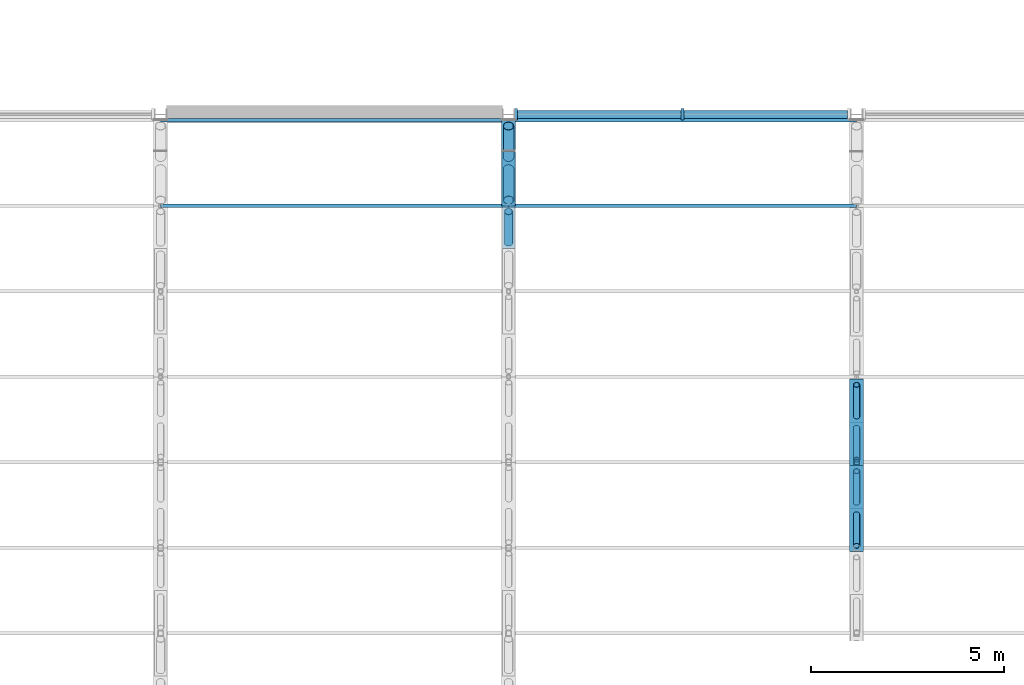
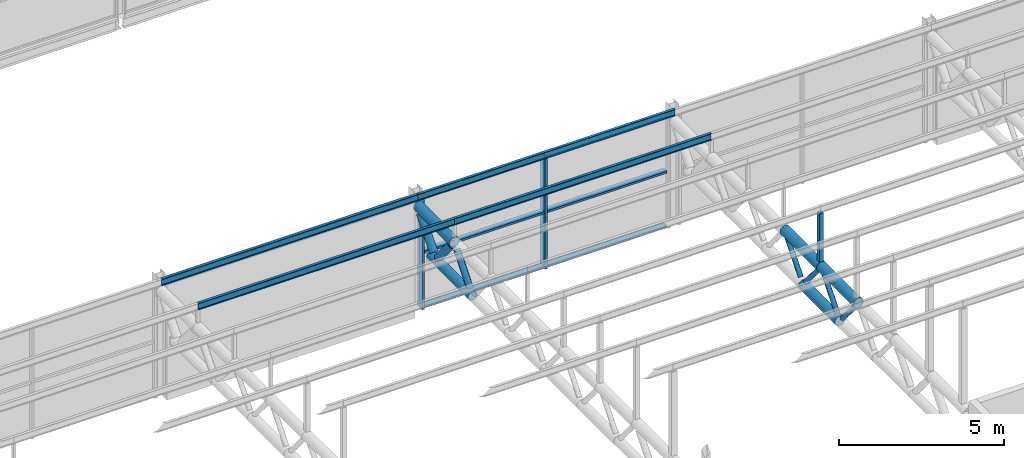
# One storey, part 47 of 138: 25 members, 1 element without a shape of its own.
"""IFC4 building model written with IfcOpenShell, lengths in metres."""

import ifcopenshell
import ifcopenshell.guid

model = None  # the IFC model being written
_history = None  # IfcOwnerHistory: only IFC2X3 demands one
_inside = {}  # id of a spatial element -> (the spatial element, [elements in it])
_under = {}  # id of a project, library or spatial element -> (it, [spatial elements below it])
_declared = {}  # id of a project -> (the project, [libraries it declares])
_typed = {}  # id of a type object -> (the type object, [elements of that type])
_made_of = {}  # id of a material, layer set ... -> (it, [elements and type objects made of it])


def new_model(schema):
    """Start an empty IFC model of exactly this schema.

    Asked for "IFC4X3", IfcOpenShell would pick the latest addendum, in which some entities
    have other attributes; the version numbers below select the first issue.
    IFC2X3 requires an IfcOwnerHistory on every rooted entity: one is made here for all.
    """
    global model, _history
    if schema == "IFC4X3":
        model = ifcopenshell.file(schema_version=(4, 3, 0, 0))
    else:
        model = ifcopenshell.file(schema=schema)
    _inside.clear()
    _under.clear()
    _declared.clear()
    _typed.clear()
    _made_of.clear()
    _history = None
    if model.schema == "IFC2X3":
        org = make("IfcOrganization", Name="unknown")
        user = make(
            "IfcPersonAndOrganization",
            ThePerson=make("IfcPerson", FamilyName="unknown"),
            TheOrganization=org,
        )
        app = make(
            "IfcApplication",
            ApplicationDeveloper=org,
            Version="unknown",
            ApplicationFullName="unknown",
            ApplicationIdentifier="unknown",
        )
        _history = make(
            "IfcOwnerHistory",
            OwningUser=user,
            OwningApplication=app,
            ChangeAction="ADDED",
            CreationDate=0,
        )
    return model


def make(cls, **values):
    """One entity of the class cls with the attributes given. An attribute that is None is left unset."""
    return model.create_entity(
        cls, **{name: value for name, value in values.items() if value is not None}
    )


def rooted(cls, **values):
    """An entity with a GlobalId (a new one), such as an element, a storey or a relation."""
    return make(cls, GlobalId=ifcopenshell.guid.new(), OwnerHistory=_history, **values)


def si_unit(unit_type, name, prefix=None):
    """IfcSIUnit, for example si_unit("LENGTHUNIT", "METRE", prefix="MILLI")."""
    return make("IfcSIUnit", UnitType=unit_type, Prefix=prefix, Name=name)


def assignment(units):
    """IfcUnitAssignment: the units of a project."""
    return None if units is None else make("IfcUnitAssignment", Units=units)


def point(xyz):
    """IfcCartesianPoint."""
    return None if xyz is None else make("IfcCartesianPoint", Coordinates=xyz)


def direction(xyz):
    """IfcDirection."""
    return None if xyz is None else make("IfcDirection", DirectionRatios=xyz)


def frame(location, z_axis=None, x_axis=None):
    """IfcAxis2Placement3D, a coordinate frame: its origin and axes. An axis left out is left unset."""
    return make(
        "IfcAxis2Placement3D",
        Location=point(location),
        Axis=direction(z_axis),
        RefDirection=direction(x_axis),
    )


def frame_2d(location, x_axis=None):
    """IfcAxis2Placement2D, a coordinate frame in the plane: its origin and x axis."""
    return make(
        "IfcAxis2Placement2D", Location=point(location), RefDirection=direction(x_axis)
    )


def origin():
    """The frame at (0, 0, 0) with its axes left unset."""
    return frame((0.0, 0.0, 0.0))


def origin_2d():
    """The frame at (0, 0) in the plane with its x axis left unset."""
    return frame_2d((0.0, 0.0))


def place(relative_to, where):
    """IfcLocalPlacement: puts the frame where relative to a parent placement (None: the world)."""
    return make(
        "IfcLocalPlacement", PlacementRelTo=relative_to, RelativePlacement=where
    )


def context(
    kind, dimensions, precision=None, world=None, true_north=None, identifier=None
):
    """IfcGeometricRepresentationContext, for example the 3D "Model" context."""
    return make(
        "IfcGeometricRepresentationContext",
        ContextIdentifier=identifier,
        ContextType=kind,
        CoordinateSpaceDimension=dimensions,
        Precision=precision,
        WorldCoordinateSystem=world,
        TrueNorth=true_north,
    )


def subcontext(parent, identifier, kind, view, scale=None):
    """IfcGeometricRepresentationSubContext, for example "Body" below "Model"."""
    return make(
        "IfcGeometricRepresentationSubContext",
        ContextIdentifier=identifier,
        ContextType=kind,
        ParentContext=parent,
        TargetScale=scale,
        TargetView=view,
    )


def project(units=None, contexts=None):
    """IfcProject with its units and contexts."""
    return rooted(
        "IfcProject",
        Name="project",
        RepresentationContexts=contexts,
        UnitsInContext=assignment(units),
    )


def spatial(cls, under=None, at=None, **own):
    """A site, building, storey or space (cls), placed at a placement, below another one or the project."""
    s = rooted(cls, ObjectPlacement=at, **own)
    if under is not None:
        _under.setdefault(under.id(), (under, []))[1].append(s)
    return s


def profile(cls, at=None, kind="AREA", **sizes):
    """A parametric profile (cls). Its sizes go by their IFC names, for example OverallWidth=200.0."""
    return make(cls, ProfileType=kind, Position=at, **sizes)


def rectangle(**sizes):
    """IfcRectangleProfileDef."""
    return profile("IfcRectangleProfileDef", **sizes)


def hollow_rectangle(**sizes):
    """IfcRectangleHollowProfileDef."""
    return profile("IfcRectangleHollowProfileDef", **sizes)


def hollow_circle(**sizes):
    """IfcCircleHollowProfileDef."""
    return profile("IfcCircleHollowProfileDef", **sizes)


def i_section(**sizes):
    """IfcIShapeProfileDef."""
    return profile("IfcIShapeProfileDef", **sizes)


def extrude(swept, where, along, depth):
    """IfcExtrudedAreaSolid: the profile swept, set in the frame where, extruded along a direction by depth."""
    return make(
        "IfcExtrudedAreaSolid",
        SweptArea=swept,
        Position=where,
        ExtrudedDirection=direction(along),
        Depth=depth,
    )


def shape(context_of_items, identifier, shape_type, items):
    """IfcShapeRepresentation: the items that make up one representation, for example the "Body"."""
    return make(
        "IfcShapeRepresentation",
        ContextOfItems=context_of_items,
        RepresentationIdentifier=identifier,
        RepresentationType=shape_type,
        Items=items,
    )


def material(Name=None, Category=None):
    """IfcMaterial."""
    return make("IfcMaterial", Name=Name, Category=Category)


def layer(
    of_material, thickness, ventilated=None, Name=None, Category=None, Priority=None
):
    """IfcMaterialLayer: one layer of a wall or slab, of a material (None: an air gap)."""
    return make(
        "IfcMaterialLayer",
        Material=of_material,
        LayerThickness=thickness,
        IsVentilated=ventilated,
        Name=Name,
        Category=Category,
        Priority=Priority,
    )


def layer_set(layers, Name=None):
    """IfcMaterialLayerSet."""
    return make("IfcMaterialLayerSet", MaterialLayers=layers, LayerSetName=Name)


def material_profile(
    of_material, cross_section, Name=None, Category=None, Priority=None
):
    """IfcMaterialProfile: a cross section and its material."""
    return make(
        "IfcMaterialProfile",
        Name=Name,
        Material=of_material,
        Profile=cross_section,
        Priority=Priority,
        Category=Category,
    )


def profile_set(profiles, Name=None, composite=None):
    """IfcMaterialProfileSet."""
    return make(
        "IfcMaterialProfileSet",
        Name=Name,
        MaterialProfiles=profiles,
        CompositeProfile=composite,
    )


def made_of(thing, what):
    """Note that an element or type object is made of a material, layer set ...; save() writes the relation."""
    if what is not None:
        _made_of.setdefault(what.id(), (what, []))[1].append(thing)
    return thing


def type_object(cls, material=None, **own):
    """A type object (cls), such as IfcWallType, which elements share."""
    return made_of(rooted(cls, **own), material)


def element(
    cls,
    number,
    at=None,
    inside=None,
    cuts=None,
    type_object=None,
    material=None,
    context=None,
    identifier="Body",
    shape_type=None,
    held_by="IfcProductDefinitionShape",
    body=None,
    shapes=None,
    **own,
):
    """One element of the class cls, such as IfcWall. Its Tag is "e" and its number.

    at: its placement. inside: the storey or other place that contains it. cuts: it is an
    opening in that element (IfcRelVoidsElement). A single representation is given by context,
    identifier, shape_type and body (its items); several are given by shapes. held_by: the class
    of the entity that holds the representations. save() writes the other relations.
    """
    e = rooted(cls, Tag="e%d" % number, ObjectPlacement=at, **own)
    if body is not None:
        shapes = [shape(context, identifier, shape_type, body)]
    if shapes is not None:
        e.Representation = make(held_by, Representations=shapes)
    if inside is not None:
        _inside.setdefault(inside.id(), (inside, []))[1].append(e)
    if cuts is not None:
        rooted(
            "IfcRelVoidsElement", RelatingBuildingElement=cuts, RelatedOpeningElement=e
        )
    if type_object is not None:
        _typed.setdefault(type_object.id(), (type_object, []))[1].append(e)
    return made_of(e, material)


def aggregate(whole, parts):
    """IfcRelAggregates: a whole, such as a stair, and the parts it consists of."""
    return rooted("IfcRelAggregates", RelatingObject=whole, RelatedObjects=parts)


def save(model, path):
    """Write the relations noted so far, then the file.

    IfcRelAggregates (storeys below a building ...), IfcRelContainedInSpatialStructure (elements
    in a storey), IfcRelDefinesByType, IfcRelAssociatesMaterial and IfcRelDeclares: one each for
    every whole, place, type object, material and project.
    """
    for whole, parts in _under.values():
        aggregate(whole, parts)
    for where, things in _inside.values():
        rooted(
            "IfcRelContainedInSpatialStructure",
            RelatedElements=things,
            RelatingStructure=where,
        )
    for kind, things in _typed.values():
        rooted("IfcRelDefinesByType", RelatedObjects=things, RelatingType=kind)
    for what, things in _made_of.values():
        rooted("IfcRelAssociatesMaterial", RelatedObjects=things, RelatingMaterial=what)
    for by, libraries in _declared.values():
        rooted("IfcRelDeclares", RelatingContext=by, RelatedDefinitions=libraries)
    model.write(path)


model = new_model("IFC4")

# Units and contexts
model_context = context("Model", 3, precision=1e-05, world=origin(), true_north=direction((0.0, 1.0)))
body_context = subcontext(model_context, "Body", "Model", "MODEL_VIEW")
ifc_project = project(units=[si_unit("LENGTHUNIT", "METRE"), si_unit("AREAUNIT", "SQUARE_METRE"), si_unit("VOLUMEUNIT", "CUBIC_METRE"), si_unit("PLANEANGLEUNIT", "RADIAN"), si_unit("MASSUNIT", "GRAM", prefix="KILO")], contexts=[model_context])

# Site, building, storey
site_placement = place(None, origin())
site = spatial("IfcSite", under=ifc_project, at=site_placement, CompositionType="ELEMENT")
building_placement = place(site_placement, origin())
building = spatial("IfcBuilding", under=site, at=building_placement, Name="Corbel Yard City Hall", CompositionType="ELEMENT")
storey_placement = place(building_placement, frame((0.0, 0.0, 10.5)))
storey = spatial("IfcBuildingStorey", under=building, at=storey_placement, Name="L02", CompositionType="ELEMENT", Elevation=10.5)

# Members
ifc_material_1 = material(Name="Steel Grade 300 (300 MPa yield)", Category="steel")
ifc_material_profile_1 = material_profile(ifc_material_1, i_section(OverallWidth=0.090087890625, OverallDepth=0.25, WebThickness=0.008056640625, FlangeThickness=0.014892578125, at=origin_2d()), Name="250PFC")
ifc_profile_set_1 = profile_set([ifc_material_profile_1], Name="Steel Grade 300 (300 MPa yield)")
member_type_1 = type_object("IfcMemberType", Name="Eaves purlin 250PFC", PredefinedType="PURLIN", material=ifc_profile_set_1)
for number, where, z_axis, x_axis, name in (
    (1, (63.0, 26.847412109375, 4.24658203125), (1.0, 0.0, 0.0), (0.0, 1.0, 0.0), "Eaves purlin 250PFC PU2"),
    (2, (72.0, 26.847412109375, 4.24658203125), (1.0, 0.0, 0.0), (0.0, 1.0, 0.0), "Eaves purlin 250PFC PU2"),
):
    element("IfcMember", number, at=place(storey_placement, frame(where, z_axis=z_axis, x_axis=x_axis)), inside=storey, type_object=member_type_1, Name=name, PredefinedType="PURLIN", context=body_context, shape_type="SweptSolid", body=[
        extrude(i_section(OverallWidth=0.090087890625, OverallDepth=0.25, WebThickness=0.008056640625, FlangeThickness=0.014892578125, at=origin_2d()), origin(), (0.0, 0.0, 1.0), 9.0),
    ])
ifc_material_2 = material(Name="Steel Grade C350L0", Category="steel")
ifc_material_profile_2 = material_profile(ifc_material_2, hollow_circle(Radius=0.161865234375, WallThickness=0.0126953125, at=origin_2d()), Name="323.9x12.7CHS")
ifc_profile_set_2 = profile_set([ifc_material_profile_2], Name="Steel Grade C350L0")
member_type_2 = type_object("IfcMemberType", Name="Hall roof truss bottom chord 323.9x12.7CHS", PredefinedType="CHORD", material=ifc_profile_set_2)
member_1_placement = place(storey_placement, frame((72.0, 23.52978515625, 2.59228515625), z_axis=(0.0, 1.0, 0.0), x_axis=(-1.0, 0.0, 0.0)))
element("IfcMember", 3, at=member_1_placement, inside=storey, type_object=member_type_2, Name="Hall roof truss bottom chord 323.9x12.7CHS TC2", PredefinedType="CHORD", context=body_context, shape_type="SweptSolid", body=[
    extrude(hollow_circle(Radius=0.161865234375, WallThickness=0.0126953125, at=origin_2d()), origin(), (0.0, 0.0, 1.0), 2.51171875),
])
ifc_material_profile_3 = material_profile(ifc_material_2, hollow_circle(Radius=0.177734375, WallThickness=0.0126953125, at=origin_2d()), Name="355.6x12.7CHS")
ifc_profile_set_3 = profile_set([ifc_material_profile_3], Name="Steel Grade C350L0")
member_type_3 = type_object("IfcMemberType", Name="Hall roof truss bottom chord 355.6x12.7CHS", PredefinedType="CHORD", material=ifc_profile_set_3)
member_2_placement = place(storey_placement, frame((81.0, 16.808349609375, 2.59228515625), z_axis=(0.0, 1.0, 0.0), x_axis=(-1.0, 0.0, 0.0)))
element("IfcMember", 4, at=member_2_placement, inside=storey, type_object=member_type_3, Name="Hall roof truss bottom chord 355.6x12.7CHS TC3", PredefinedType="CHORD", context=body_context, shape_type="SweptSolid", body=[
    extrude(hollow_circle(Radius=0.177734375, WallThickness=0.0126953125, at=origin_2d()), origin(), (0.0, 0.0, 1.0), 2.23095703125),
])
ifc_material_profile_4 = material_profile(ifc_material_2, hollow_circle(Radius=0.084228515625, WallThickness=0.007080078125, at=origin_2d()), Name="168.3x7.1CHS")
ifc_profile_set_4 = profile_set([ifc_material_profile_4], Name="Steel Grade C350L0")
member_type_4 = type_object("IfcMemberType", Name="Hall roof truss diagonal 168.3x7.1CHS", PredefinedType="STRUT", material=ifc_profile_set_4)
for number, where, z_axis, x_axis, name in (
    (5, (81.0, 15.842041015625, 3.744384765625), (0.0, 0.64257954038, -0.766218985855), (-1.0, 0.0, 0.0), "Hall roof truss diagonal 168.3x7.1CHS TD3"),
    (6, (81.0, 16.95751953125, 2.77001953125), (0.0, 0.64257954038, 0.766218985855), (-1.0, 0.0, 0.0), "Hall roof truss diagonal 168.3x7.1CHS TD3"),
    (7, (81.0, 18.07275390625, 3.744384765625), (0.0, 0.642692233301, -0.766124463292), (-1.0, 0.0, 0.0), "Hall roof truss diagonal 168.3x7.1CHS TD3"),
    (8, (81.0, 19.188232421875, 2.77001953125), (0.0, 0.642692233301, 0.766124463292), (-1.0, 0.0, 0.0), "Hall roof truss diagonal 168.3x7.1CHS TD3"),
):
    element("IfcMember", number, at=place(storey_placement, frame(where, z_axis=z_axis, x_axis=x_axis)), inside=storey, type_object=member_type_4, Name=name, PredefinedType="STRUT", context=body_context, shape_type="SweptSolid", body=[
        extrude(hollow_circle(Radius=0.084228515625, WallThickness=0.007080078125, at=origin_2d()), origin(), (0.0, 0.0, 1.0), 1.271728515625),
    ])
ifc_material_profile_5 = material_profile(ifc_material_2, hollow_circle(Radius=0.109619140625, WallThickness=0.00830078125, at=origin_2d()), Name="219.1x8.2CHS")
ifc_profile_set_5 = profile_set([ifc_material_profile_5], Name="Steel Grade C350L0")
member_type_5 = type_object("IfcMemberType", Name="Hall roof truss diagonal 219.1x8.2CHS", PredefinedType="STRUT", material=ifc_profile_set_5)
member_3_placement = place(storey_placement, frame((72.0, 23.677490234375, 2.77001953125), z_axis=(0.0, 0.639407153698, 0.768868318894), x_axis=(-1.0, 0.0, 0.0)))
element("IfcMember", 9, at=member_3_placement, inside=storey, type_object=member_type_5, Name="Hall roof truss diagonal 219.1x8.2CHS TD2", PredefinedType="STRUT", context=body_context, shape_type="SweptSolid", body=[
    extrude(hollow_circle(Radius=0.109619140625, WallThickness=0.00830078125, at=origin_2d()), origin(), (0.0, 0.0, 1.0), 1.267333984375),
])
ifc_material_profile_6 = material_profile(ifc_material_2, hollow_circle(Radius=0.136474609375, WallThickness=0.00927734375, at=origin_2d()), Name="273.1x9.3CHS")
ifc_profile_set_6 = profile_set([ifc_material_profile_6], Name="Steel Grade C350L0")
member_type_6 = type_object("IfcMemberType", Name="Hall roof truss diagonal 273.1x9.3CHS", PredefinedType="STRUT", material=ifc_profile_set_6)
for number, where, z_axis, x_axis, name in (
    (10, (72.0, 24.783447265625, 3.744384765625), (0.0, 0.639407153698, -0.768868318894), (-1.0, 0.0, 0.0), "Hall roof truss diagonal 273.1x9.3CHS TD1"),
    (11, (72.0, 25.889404296875, 2.77001953125), (0.0, 0.639407153698, 0.768868318894), (-1.0, 0.0, 0.0), "Hall roof truss diagonal 273.1x9.3CHS TD1"),
):
    element("IfcMember", number, at=place(storey_placement, frame(where, z_axis=z_axis, x_axis=x_axis)), inside=storey, type_object=member_type_6, Name=name, PredefinedType="STRUT", context=body_context, shape_type="SweptSolid", body=[
        extrude(hollow_circle(Radius=0.136474609375, WallThickness=0.00927734375, at=origin_2d()), origin(), (0.0, 0.0, 1.0), 1.267333984375),
    ])
ifc_material_profile_7 = material_profile(ifc_material_2, hollow_circle(Radius=0.177734375, WallThickness=0.0126953125, at=origin_2d()), Name="355.6x12.7CHS")
ifc_profile_set_7 = profile_set([ifc_material_profile_7], Name="Steel Grade C350L0")
member_type_7 = type_object("IfcMemberType", Name="Hall roof truss top chord 355.6x12.7CHS", PredefinedType="CHORD", material=ifc_profile_set_7)
member_4_placement = place(storey_placement, frame((72.0, 24.6357421875, 3.922119140625), z_axis=(0.0, 1.0, 0.0), x_axis=(-1.0, 0.0, 0.0)))
element("IfcMember", 12, at=member_4_placement, inside=storey, type_object=member_type_7, Name="Hall roof truss top chord 355.6x12.7CHS TC1", PredefinedType="CHORD", context=body_context, shape_type="SweptSolid", body=[
    extrude(hollow_circle(Radius=0.177734375, WallThickness=0.0126953125, at=origin_2d()), origin(), (0.0, 0.0, 1.0), 2.211669921875),
])
for number, where, z_axis, x_axis, name in (
    (13, (81.0, 15.69287109375, 3.922119140625), (0.0, 1.0, 0.0), (-1.0, 0.0, 0.0), "Hall roof truss top chord 355.6x12.7CHS TC1"),
    (14, (81.0, 17.923828125, 3.922119140625), (0.0, 1.0, 0.0), (-1.0, 0.0, 0.0), "Hall roof truss top chord 355.6x12.7CHS TC1"),
):
    element("IfcMember", number, at=place(storey_placement, frame(where, z_axis=z_axis, x_axis=x_axis)), inside=storey, type_object=member_type_7, Name=name, PredefinedType="CHORD", context=body_context, shape_type="SweptSolid", body=[
        extrude(hollow_circle(Radius=0.177734375, WallThickness=0.0126953125, at=origin_2d()), origin(), (0.0, 0.0, 1.0), 2.23095703125),
    ])

# Curtain wall, members
ifc_material_3 = material(Name="Aluminium extrusion", Category="aluminium")
ifc_layer = layer(ifc_material_3, 0.300048828125)
ifc_layer_set = layer_set([ifc_layer], Name="Aluminium extrusion")
curtain_wall_type = type_object("IfcCurtainWallType", Name="CW7", PredefinedType="USERDEFINED", material=ifc_layer_set)
curtain_wall_placement = place(storey_placement, origin())
curtain_wall = element("IfcCurtainWall", 15, at=curtain_wall_placement, inside=storey, type_object=curtain_wall_type, Name="Curtain wall CW7 L02", ObjectType="CURTAIN WALL", PredefinedType="USERDEFINED")
ifc_material_profile_8 = material_profile(ifc_material_3, rectangle(XDim=0.300048828125, YDim=0.080078125, at=origin_2d()), Name="300x80")
ifc_profile_set_8 = profile_set([ifc_material_profile_8], Name="Aluminium extrusion")
member_type_8 = type_object("IfcMemberType", Name="ML7", PredefinedType="MULLION", material=ifc_profile_set_8)
member_5_placement = place(storey_placement, frame((72.194091796875, 27.0, 0.0), z_axis=(0.0, 0.0, 1.0), x_axis=(0.0, 1.0, 0.0)))
member_5 = element("IfcMember", 16, at=member_5_placement, type_object=member_type_8, Name="CW7 mullion 1", PredefinedType="MULLION", context=body_context, shape_type="SweptSolid", body=[
    extrude(rectangle(XDim=0.300048828125, YDim=0.080078125, at=origin_2d()), origin(), (0.0, 0.0, 1.0), 4.12158203125),
])
member_6_placement = place(storey_placement, frame((76.5, 27.0, 0.0), z_axis=(0.0, 0.0, 1.0), x_axis=(0.0, 1.0, 0.0)))
member_6 = element("IfcMember", 17, at=member_6_placement, type_object=member_type_8, Name="CW7 mullion 2", PredefinedType="MULLION", context=body_context, shape_type="SweptSolid", body=[
    extrude(rectangle(XDim=0.300048828125, YDim=0.080078125, at=origin_2d()), origin(), (0.0, 0.0, 1.0), 4.12158203125),
])

# Members
ifc_material_profile_9 = material_profile(ifc_material_1, i_section(OverallWidth=0.090087890625, OverallDepth=0.25, WebThickness=0.008056640625, FlangeThickness=0.014892578125, at=origin_2d()), Name="250PFC")
ifc_profile_set_9 = profile_set([ifc_material_profile_9], Name="Steel Grade 300 (300 MPa yield)")
member_type_9 = type_object("IfcMemberType", Name="Purlin 250PFC", PredefinedType="PURLIN", material=ifc_profile_set_9)
for number, where, z_axis, x_axis, name in (
    (18, (63.0, 24.6357421875, 4.68896484375), (1.0, 0.0, 0.0), (0.0, 1.0, 0.0), "Purlin 250PFC PU1"),
    (19, (72.0, 24.6357421875, 4.68896484375), (1.0, 0.0, 0.0), (0.0, 1.0, 0.0), "Purlin 250PFC PU1"),
):
    element("IfcMember", number, at=place(storey_placement, frame(where, z_axis=z_axis, x_axis=x_axis)), inside=storey, type_object=member_type_9, Name=name, PredefinedType="PURLIN", context=body_context, shape_type="SweptSolid", body=[
        extrude(i_section(OverallWidth=0.090087890625, OverallDepth=0.25, WebThickness=0.008056640625, FlangeThickness=0.014892578125, at=origin_2d()), origin(), (0.0, 0.0, 1.0), 9.0),
    ])
ifc_material_4 = material(Name="Steel Grade C450L0", Category="steel")
ifc_material_profile_10 = material_profile(ifc_material_4, hollow_rectangle(XDim=0.14990234375, YDim=0.14990234375, WallThickness=0.009033203125, at=origin_2d()), Name="150x150x9.0SHS")
ifc_profile_set_10 = profile_set([ifc_material_profile_10], Name="Steel Grade C450L0")
member_type_10 = type_object("IfcMemberType", Name="Roof post 150x150x9.0SHS", PredefinedType="POST", material=ifc_profile_set_10)
member_7_placement = place(storey_placement, frame((81.0, 18.0, 4.10009765625), z_axis=(0.0, 0.0, 1.0), x_axis=(1.0, 0.0, 0.0)))
element("IfcMember", 20, at=member_7_placement, inside=storey, type_object=member_type_10, Name="Roof post 150x150x9.0SHS RP2", PredefinedType="POST", context=body_context, shape_type="SweptSolid", body=[
    extrude(hollow_rectangle(XDim=0.14990234375, YDim=0.14990234375, WallThickness=0.009033203125, at=origin_2d()), origin(), (0.0, 0.0, 1.0), 1.791015625),
])

# Member
ifc_material_profile_11 = material_profile(ifc_material_3, rectangle(XDim=0.199951171875, YDim=0.080078125, at=origin_2d()), Name="200x80")
ifc_profile_set_11 = profile_set([ifc_material_profile_11], Name="Aluminium extrusion")
member_type_11 = type_object("IfcMemberType", Name="TR7", PredefinedType="USERDEFINED", material=ifc_profile_set_11)
member_8_placement = place(storey_placement, frame((72.23388671875, 27.0, 0.0400390625), z_axis=(1.0, 0.0, 0.0), x_axis=(0.0, 1.0, 0.0)))
member_8 = element("IfcMember", 21, at=member_8_placement, type_object=member_type_11, Name="CW7 transom 1.1", ObjectType="TRANSOM", PredefinedType="USERDEFINED", context=body_context, shape_type="SweptSolid", body=[
    extrude(rectangle(XDim=0.199951171875, YDim=0.080078125, at=origin_2d()), origin(), (0.0, 0.0, 1.0), 4.22607421875),
])

member_9_placement = place(storey_placement, frame((72.23388671875, 27.0, 2.060791015625), z_axis=(1.0, 0.0, 0.0), x_axis=(0.0, 1.0, 0.0)))
member_9 = element("IfcMember", 22, at=member_9_placement, type_object=member_type_11, Name="CW7 transom 1.2", ObjectType="TRANSOM", PredefinedType="USERDEFINED", context=body_context, shape_type="SweptSolid", body=[
    extrude(rectangle(XDim=0.199951171875, YDim=0.080078125, at=origin_2d()), origin(), (0.0, 0.0, 1.0), 4.22607421875),
])

member_10_placement = place(storey_placement, frame((72.23388671875, 27.0, 4.08154296875), z_axis=(1.0, 0.0, 0.0), x_axis=(0.0, 1.0, 0.0)))
member_10 = element("IfcMember", 23, at=member_10_placement, type_object=member_type_11, Name="CW7 transom 1.3", ObjectType="TRANSOM", PredefinedType="USERDEFINED", context=body_context, shape_type="SweptSolid", body=[
    extrude(rectangle(XDim=0.199951171875, YDim=0.080078125, at=origin_2d()), origin(), (0.0, 0.0, 1.0), 4.22607421875),
])

member_11_placement = place(storey_placement, frame((76.5400390625, 27.0, 0.0400390625), z_axis=(1.0, 0.0, 0.0), x_axis=(0.0, 1.0, 0.0)))
member_11 = element("IfcMember", 24, at=member_11_placement, type_object=member_type_11, Name="CW7 transom 2.1", ObjectType="TRANSOM", PredefinedType="USERDEFINED", context=body_context, shape_type="SweptSolid", body=[
    extrude(rectangle(XDim=0.199951171875, YDim=0.080078125, at=origin_2d()), origin(), (0.0, 0.0, 1.0), 4.22607421875),
])

member_12_placement = place(storey_placement, frame((76.5400390625, 27.0, 2.060791015625), z_axis=(1.0, 0.0, 0.0), x_axis=(0.0, 1.0, 0.0)))
member_12 = element("IfcMember", 25, at=member_12_placement, type_object=member_type_11, Name="CW7 transom 2.2", ObjectType="TRANSOM", PredefinedType="USERDEFINED", context=body_context, shape_type="SweptSolid", body=[
    extrude(rectangle(XDim=0.199951171875, YDim=0.080078125, at=origin_2d()), origin(), (0.0, 0.0, 1.0), 4.22607421875),
])

member_13_placement = place(storey_placement, frame((76.5400390625, 27.0, 4.08154296875), z_axis=(1.0, 0.0, 0.0), x_axis=(0.0, 1.0, 0.0)))
member_13 = element("IfcMember", 26, at=member_13_placement, type_object=member_type_11, Name="CW7 transom 2.3", ObjectType="TRANSOM", PredefinedType="USERDEFINED", context=body_context, shape_type="SweptSolid", body=[
    extrude(rectangle(XDim=0.199951171875, YDim=0.080078125, at=origin_2d()), origin(), (0.0, 0.0, 1.0), 4.22607421875),
])

aggregate(curtain_wall, [member_5, member_6, member_8, member_9, member_10, member_11, member_12, member_13])

save(model, "model.ifc")
